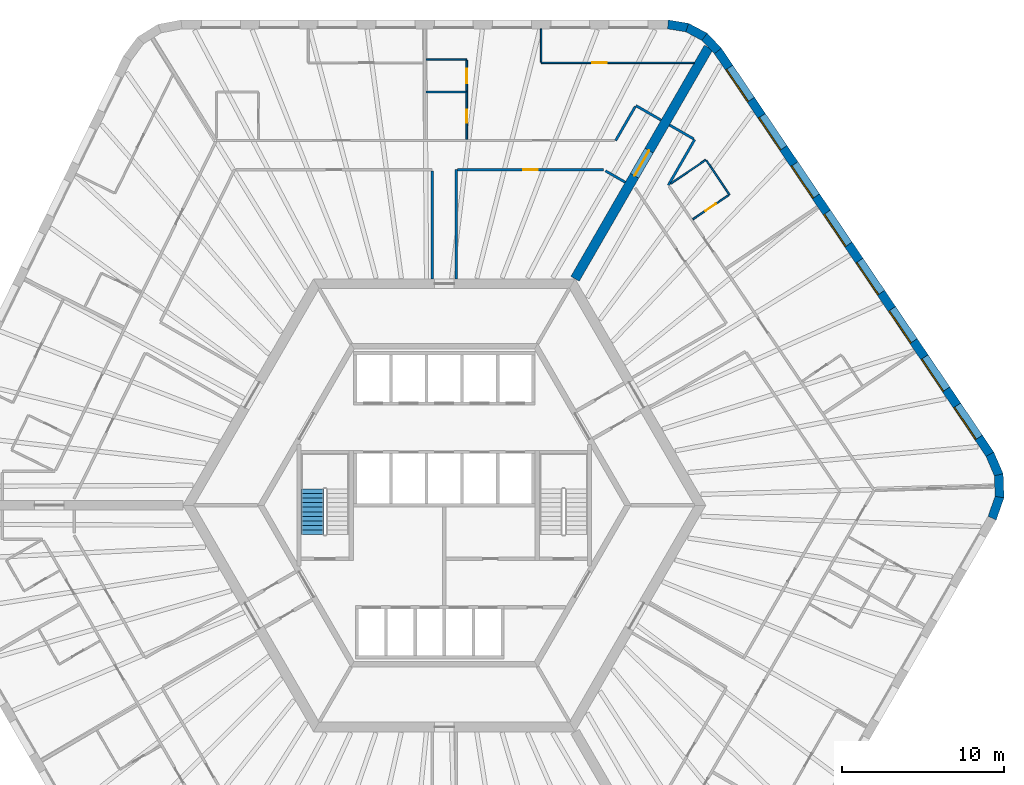
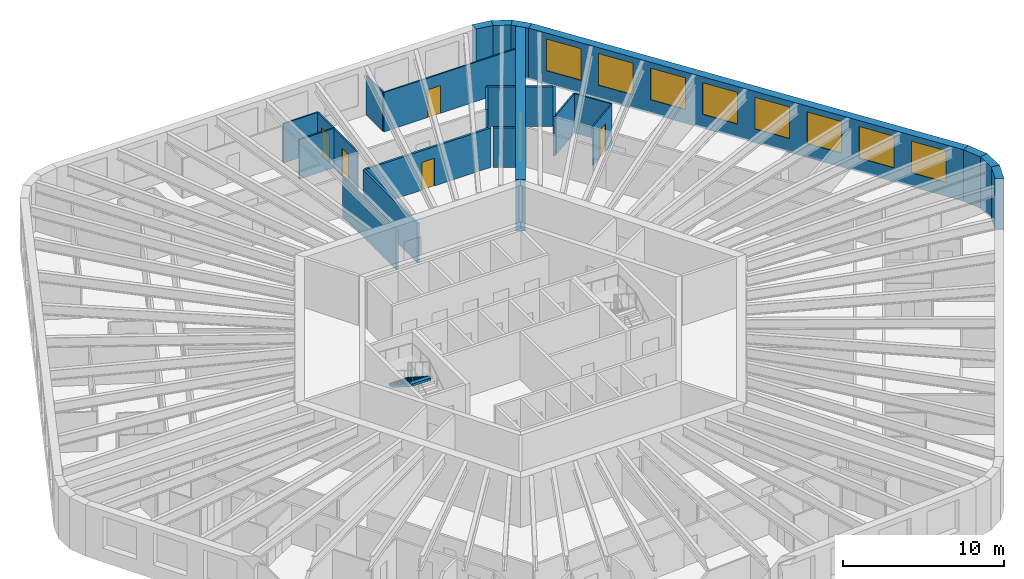
# One storey, part 10 of 12: 25 walls, 8 windows, 6 doors, 1 stair flight, 14 openings, 1 element without a shape of its own.
"""IFC4 building model written with IfcOpenShell, lengths in metres."""

from ifc_helpers import new_model, si_unit, direction, frame, frame_2d, origin, place, context, subcontext, project, spatial, polyline, rectangle, outline, extrude, material, layer, layer_set, type_object, element, fill, aggregate, save


model = new_model("IFC4")

# Units and contexts
model_context = context("Model", 3, precision=1e-05, world=origin(), true_north=direction((0.0, 1.0)))
body_context = subcontext(model_context, "Body", "Model", "MODEL_VIEW")
ifc_project = project(units=[si_unit("LENGTHUNIT", "METRE"), si_unit("AREAUNIT", "SQUARE_METRE"), si_unit("VOLUMEUNIT", "CUBIC_METRE"), si_unit("PLANEANGLEUNIT", "RADIAN"), si_unit("MASSUNIT", "GRAM", prefix="KILO")], contexts=[model_context])

# Site, building, storey
site_placement = place(None, origin())
site = spatial("IfcSite", under=ifc_project, at=site_placement, CompositionType="ELEMENT")
building_placement = place(site_placement, origin())
building = spatial("IfcBuilding", under=site, at=building_placement, Name="Tarnside Tower", CompositionType="ELEMENT")
storey_placement = place(building_placement, frame((0.0, 0.0, 57.0)))
storey = spatial("IfcBuildingStorey", under=building, at=storey_placement, Name="L11", CompositionType="ELEMENT", Elevation=57.0)

# Wall, opening, door
ifc_material_1 = material(Name="Gypsum board partition on steel studs", Category="steel")
ifc_layer_1 = layer(ifc_material_1, 0.10009765625)
ifc_layer_set_1 = layer_set([ifc_layer_1], Name="Bathroom wall 100")
wall_type_1 = type_object("IfcWallType", Name="Bathroom wall 100", PredefinedType="PARTITIONING", material=ifc_layer_set_1)
wall_1_placement = place(storey_placement, frame((1.388916015625, 25.550048828125, 0.0), z_axis=(0.0, 0.0, 1.0), x_axis=(0.0, -1.0, 0.0)))
wall_1 = element("IfcWall", 1, at=wall_1_placement, inside=storey, type_object=wall_type_1, Name="Bathroom wall 02072", PredefinedType="PARTITIONING", context=body_context, shape_type="SweptSolid", body=[
    extrude(rectangle(XDim=2.925048828125, YDim=0.10009765625, at=frame_2d((1.46240234375, 0.0))), origin(), (0.0, 0.0, 1.0), 2.98779296875),
])
opening_1_placement = place(wall_1_placement, frame((1.10009765625, 0.0, 0.0)))
opening_1 = element("IfcOpeningElement", 2, at=opening_1_placement, cuts=wall_1, Name="Opening D-B1", PredefinedType="OPENING", context=body_context, shape_type="SweptSolid", body=[
    extrude(rectangle(XDim=0.800048828125, YDim=2.10009765625, at=frame_2d((0.39990234375, 1.050048828125))), frame((0.0, 0.06005859375, 0.0), z_axis=(0.0, -1.0, 0.0), x_axis=(1.0, 0.0, 0.0)), (0.0, 0.0, 1.0), 0.1201171875),
])
ifc_material_2 = material(Name="Timber door leaf", Category="wood")
door_type_1 = type_object("IfcDoorType", Name="Bathroom door 800", OperationType="NOTDEFINED", PredefinedType="DOOR", material=ifc_material_2)
door_1_placement = place(opening_1_placement, origin())
door_1 = element("IfcDoor", 3, at=door_1_placement, inside=storey, type_object=door_type_1, Name="Bathroom door 02002", OperationType="SINGLE_SWING_LEFT", OverallHeight=2.10009765625, OverallWidth=0.800048828125, PredefinedType="DOOR", context=body_context, shape_type="SweptSolid", body=[
    extrude(rectangle(XDim=0.800048828125, YDim=2.10009765625, at=frame_2d((0.39990234375, 1.050048828125))), frame((0.0, 0.02490234375, 0.0), z_axis=(0.0, -1.0, 0.0), x_axis=(1.0, 0.0, 0.0)), (0.0, 0.0, 1.0), 0.050048828125),
])
fill(opening_1, door_1)

# Walls
wall_2_placement = place(storey_placement, frame((1.3388671875, 25.550048828125, 0.0), z_axis=(0.0, 0.0, 1.0), x_axis=(-1.0, 0.0, 0.0)))
element("IfcWall", 4, at=wall_2_placement, inside=storey, type_object=wall_type_1, Name="Bathroom wall 02078", PredefinedType="PARTITIONING", context=body_context, shape_type="SweptSolid", body=[
    extrude(rectangle(XDim=2.4599609375, YDim=0.10009765625, at=frame_2d((1.22998046875, 0.0))), origin(), (0.0, 0.0, 1.0), 2.98779296875),
])
wall_3_placement = place(storey_placement, frame((13.992919921875, 19.886474609375, 0.0), z_axis=(0.0, 0.0, 1.0), x_axis=(0.829009051057, 0.559235186005, 0.0)))
element("IfcWall", 5, at=wall_3_placement, inside=storey, type_object=wall_type_1, Name="Bathroom wall 02151", PredefinedType="PARTITIONING", context=body_context, shape_type="SweptSolid", body=[
    extrude(rectangle(XDim=2.62890625, YDim=0.10009765625, at=frame_2d((1.314453125, 0.0))), origin(), (0.0, 0.0, 1.0), 2.98779296875),
])
wall_4_placement = place(storey_placement, frame((16.200439453125, 21.315185546875, 0.0), z_axis=(0.0, 0.0, 1.0), x_axis=(0.559155442782, -0.829062838878, 0.0)))
element("IfcWall", 6, at=wall_4_placement, inside=storey, type_object=wall_type_1, Name="Bathroom wall 02152", PredefinedType="PARTITIONING", context=body_context, shape_type="SweptSolid", body=[
    extrude(rectangle(XDim=2.5498046875, YDim=0.10009765625, at=frame_2d((1.27490234375, 0.0))), origin(), (0.0, 0.0, 1.0), 2.98779296875),
])

# Wall, opening, door
wall_5_placement = place(storey_placement, frame((17.5849609375, 19.173095703125, 0.0), z_axis=(0.0, 0.0, 1.0), x_axis=(-0.82904753069, -0.559178139645, 0.0)))
wall_5 = element("IfcWall", 7, at=wall_5_placement, inside=storey, type_object=wall_type_1, Name="Bathroom wall 02153", PredefinedType="PARTITIONING", context=body_context, shape_type="SweptSolid", body=[
    extrude(rectangle(XDim=2.675048828125, YDim=0.10009765625, at=frame_2d((1.33740234375, 0.0))), origin(), (0.0, 0.0, 1.0), 2.98779296875),
])
opening_2_placement = place(wall_5_placement, frame((0.949951171875, 0.0, 0.0)))
opening_2 = element("IfcOpeningElement", 8, at=opening_2_placement, cuts=wall_5, Name="Opening D-B1", PredefinedType="OPENING", context=body_context, shape_type="SweptSolid", body=[
    extrude(rectangle(XDim=0.800048828125, YDim=2.10009765625, at=frame_2d((0.39990234375, 1.050048828125))), frame((0.0, 0.06005859375, 0.0), z_axis=(0.0, -1.0, 0.0), x_axis=(1.0, 0.0, 0.0)), (0.0, 0.0, 1.0), 0.1201171875),
])
door_2_placement = place(opening_2_placement, origin())
door_2 = element("IfcDoor", 9, at=door_2_placement, inside=storey, type_object=door_type_1, Name="Bathroom door 02040", OperationType="SINGLE_SWING_RIGHT", OverallHeight=2.10009765625, OverallWidth=0.800048828125, PredefinedType="DOOR", context=body_context, shape_type="SweptSolid", body=[
    extrude(rectangle(XDim=0.800048828125, YDim=2.10009765625, at=frame_2d((0.39990234375, 1.050048828125))), frame((0.0, 0.02490234375, 0.0), z_axis=(0.0, -1.0, 0.0), x_axis=(1.0, 0.0, 0.0)), (0.0, 0.0, 1.0), 0.050048828125),
])
fill(opening_2, door_2)

ifc_material_3 = material(Name="Concrete C80/95", Category="concrete")
ifc_layer_2 = layer(ifc_material_3, 0.60009765625)
ifc_layer_set_2 = layer_set([ifc_layer_2], Name="Core wall Z1 600 C80/95")
wall_type_2 = type_object("IfcWallType", Name="Core wall Z1 600 C80/95", PredefinedType="SHEAR", material=ifc_layer_set_2)
wall_6_placement = place(storey_placement, frame((8.0830078125, 14.0, -0.14990234375), z_axis=(0.0, 0.0, 1.0), x_axis=(0.499997680643, 0.866026742862, 0.0)))
wall_6 = element("IfcWall", 10, at=wall_6_placement, inside=storey, type_object=wall_type_2, Name="L11 spine wall 1", PredefinedType="SHEAR", context=body_context, shape_type="SweptSolid", body=[
    extrude(rectangle(XDim=16.5087890625, YDim=0.60009765625, at=frame_2d((8.25439453125, 0.0))), origin(), (0.0, 0.0, 1.0), 3.89990234375),
])
opening_3_placement = place(wall_6_placement, frame((7.3544921875, 0.0, 0.14990234375)))
opening_3 = element("IfcOpeningElement", 11, at=opening_3_placement, cuts=wall_6, Name="Opening CD-SPN", PredefinedType="OPENING", context=body_context, shape_type="SweptSolid", body=[
    extrude(rectangle(XDim=1.800048828125, YDim=2.39990234375, at=frame_2d((0.89990234375, 1.199951171875))), frame((0.0, 0.31005859375, 0.0), z_axis=(0.0, -1.0, 0.0), x_axis=(1.0, 0.0, 0.0)), (0.0, 0.0, 1.0), 0.6201171875),
])
ifc_material_4 = material(Name="Steel fire door", Category="steel")
door_type_2 = type_object("IfcDoorType", Name="Spine passage double door FD60 1800x2400", OperationType="NOTDEFINED", PredefinedType="DOOR", material=ifc_material_4)
door_3_placement = place(opening_3_placement, origin())
door_3 = element("IfcDoor", 12, at=door_3_placement, inside=storey, type_object=door_type_2, Name="L11 spine passage door 1", OperationType="DOUBLE_DOOR_SINGLE_SWING", OverallHeight=2.39990234375, OverallWidth=1.800048828125, PredefinedType="DOOR", context=body_context, shape_type="SweptSolid", body=[
    extrude(rectangle(XDim=1.800048828125, YDim=2.39990234375, at=frame_2d((0.89990234375, 1.199951171875))), frame((0.0, 0.02490234375, 0.0), z_axis=(0.0, -1.0, 0.0), x_axis=(1.0, 0.0, 0.0)), (0.0, 0.0, 1.0), 0.050048828125),
])
fill(opening_3, door_3)

# Walls
ifc_layer_3 = layer(ifc_material_1, 0.14990234375)
ifc_layer_set_3 = layer_set([ifc_layer_3], Name="Corridor wall 150 EI 60")
wall_type_3 = type_object("IfcWallType", Name="Corridor wall 150 EI 60", PredefinedType="PARTITIONING", material=ifc_layer_set_3)
wall_7_placement = place(storey_placement, frame((13.400390625, 23.81005859375, 0.0), z_axis=(0.0, 0.0, 1.0), x_axis=(-0.865989075817, 0.500062916607, 0.0)))
element("IfcWall", 13, at=wall_7_placement, inside=storey, type_object=wall_type_3, Name="Corridor wall 02001", PredefinedType="PARTITIONING", context=body_context, shape_type="SweptSolid", body=[
    extrude(rectangle(XDim=1.800048828125, YDim=0.14990234375, at=frame_2d((0.89990234375, 0.0))), origin(), (0.0, 0.0, 1.0), 2.98779296875),
])
wall_8_placement = place(storey_placement, frame((11.803955078125, 24.64501953125, 0.0), z_axis=(0.0, 0.0, 1.0), x_axis=(-0.499981632079, -0.866036008249, 0.0)))
element("IfcWall", 14, at=wall_8_placement, inside=storey, type_object=wall_type_3, Name="Corridor wall 02002", PredefinedType="PARTITIONING", context=body_context, shape_type="SweptSolid", body=[
    extrude(rectangle(XDim=2.4189453125, YDim=0.14990234375, at=frame_2d((1.20947265625, 0.0))), origin(), (0.0, 0.0, 1.0), 2.98779296875),
])
wall_9_placement = place(storey_placement, frame((-0.75, 20.675048828125, 0.0), z_axis=(0.0, 0.0, 1.0), x_axis=(0.0, -1.0, 0.0)))
element("IfcWall", 15, at=wall_9_placement, inside=storey, type_object=wall_type_3, Name="Corridor wall 02016", PredefinedType="PARTITIONING", context=body_context, shape_type="SweptSolid", body=[
    extrude(rectangle(XDim=6.675048828125, YDim=0.14990234375, at=frame_2d((3.33740234375, 0.0))), origin(), (0.0, 0.0, 1.0), 2.98779296875),
])
wall_10_placement = place(storey_placement, frame((0.75, 14.0, 0.0), z_axis=(0.0, 0.0, 1.0), x_axis=(0.0, 1.0, 0.0)))
element("IfcWall", 16, at=wall_10_placement, inside=storey, type_object=wall_type_3, Name="Corridor wall 02017", PredefinedType="PARTITIONING", context=body_context, shape_type="SweptSolid", body=[
    extrude(rectangle(XDim=6.75, YDim=0.14990234375, at=frame_2d((3.375, 0.0))), origin(), (0.0, 0.0, 1.0), 2.98779296875),
])

# Wall, opening, door
wall_11_placement = place(storey_placement, frame((0.824951171875, 20.75, 0.0), z_axis=(0.0, 0.0, 1.0), x_axis=(1.0, 0.0, 0.0)))
wall_11 = element("IfcWall", 17, at=wall_11_placement, inside=storey, type_object=wall_type_3, Name="Corridor wall 02018", PredefinedType="PARTITIONING", context=body_context, shape_type="SweptSolid", body=[
    extrude(rectangle(XDim=9.008056640625, YDim=0.14990234375, at=frame_2d((4.50390625, 0.0))), origin(), (0.0, 0.0, 1.0), 2.98779296875),
])
opening_4_placement = place(wall_11_placement, frame((4.053955078125, 0.0, 0.0)))
opening_4 = element("IfcOpeningElement", 18, at=opening_4_placement, cuts=wall_11, Name="Opening D-S1", PredefinedType="OPENING", context=body_context, shape_type="SweptSolid", body=[
    extrude(rectangle(XDim=0.89990234375, YDim=2.10009765625, at=frame_2d((0.449951171875, 1.050048828125))), frame((0.0, 0.0849609375, 0.0), z_axis=(0.0, -1.0, 0.0), x_axis=(1.0, 0.0, 0.0)), (0.0, 0.0, 1.0), 0.169921875),
])
door_type_3 = type_object("IfcDoorType", Name="Service room door 900 FD30S", OperationType="NOTDEFINED", PredefinedType="DOOR", material=ifc_material_2)
door_4_placement = place(opening_4_placement, origin())
door_4 = element("IfcDoor", 19, at=door_4_placement, inside=storey, type_object=door_type_3, Name="Service door 02042", OperationType="SINGLE_SWING_LEFT", OverallHeight=2.10009765625, OverallWidth=0.89990234375, PredefinedType="DOOR", context=body_context, shape_type="SweptSolid", body=[
    extrude(rectangle(XDim=0.89990234375, YDim=2.10009765625, at=frame_2d((0.449951171875, 1.050048828125))), frame((0.0, 0.02490234375, 0.0), z_axis=(0.0, -1.0, 0.0), x_axis=(1.0, 0.0, 0.0)), (0.0, 0.0, 1.0), 0.050048828125),
])
fill(opening_4, door_4)

# Walls
wall_12_placement = place(storey_placement, frame((9.962890625, 20.675048828125, 0.0), z_axis=(0.0, 0.0, 1.0), x_axis=(0.865963438852, -0.500107311056, 0.0)))
element("IfcWall", 20, at=wall_12_placement, inside=storey, type_object=wall_type_3, Name="Corridor wall 02019", PredefinedType="PARTITIONING", context=body_context, shape_type="SweptSolid", body=[
    extrude(rectangle(XDim=1.409423828125, YDim=0.14990234375, at=frame_2d((0.70458984375, 0.0))), origin(), (0.0, 0.0, 1.0), 2.98779296875),
])
wall_13_placement = place(storey_placement, frame((13.85107421875, 19.790771484375, 0.0), z_axis=(0.0, 0.0, 1.0), x_axis=(0.499986449875, 0.866033226812, 0.0)))
element("IfcWall", 21, at=wall_13_placement, inside=storey, type_object=wall_type_3, Name="Corridor wall 02059", PredefinedType="PARTITIONING", context=body_context, shape_type="SweptSolid", body=[
    extrude(rectangle(XDim=3.25537109375, YDim=0.14990234375, at=frame_2d((1.627685546875, 0.0))), origin(), (0.0, 0.0, 1.0), 2.98779296875),
])
wall_14_placement = place(storey_placement, frame((15.413818359375, 22.647705078125, 0.0), z_axis=(0.0, 0.0, 1.0), x_axis=(-0.866074815912, 0.499914405916, 0.0)))
element("IfcWall", 22, at=wall_14_placement, inside=storey, type_object=wall_type_3, Name="Corridor wall 02060", PredefinedType="PARTITIONING", context=body_context, shape_type="SweptSolid", body=[
    extrude(rectangle(XDim=1.724853515625, YDim=0.14990234375, at=frame_2d((0.8623046875, 0.0))), origin(), (0.0, 0.0, 1.0), 2.98779296875),
])
ifc_layer_4 = layer(ifc_material_1, 0.10009765625)
ifc_layer_set_4 = layer_set([ifc_layer_4], Name="Partition 100")
wall_type_4 = type_object("IfcWallType", Name="Partition 100", PredefinedType="PARTITIONING", material=ifc_layer_set_4)
wall_15_placement = place(storey_placement, frame((-1.12109375, 27.550048828125, 0.0), z_axis=(0.0, 0.0, 1.0), x_axis=(1.0, 0.0, 0.0)))
element("IfcWall", 23, at=wall_15_placement, inside=storey, type_object=wall_type_4, Name="Partition wall 02073", PredefinedType="PARTITIONING", context=body_context, shape_type="SweptSolid", body=[
    extrude(rectangle(XDim=2.510009765625, YDim=0.10009765625, at=frame_2d((1.2548828125, 0.0))), origin(), (0.0, 0.0, 1.0), 2.98779296875),
])

# Wall, opening, door
wall_16_placement = place(storey_placement, frame((1.388916015625, 27.5, 0.0), z_axis=(0.0, 0.0, 1.0), x_axis=(0.0, -1.0, 0.0)))
wall_16 = element("IfcWall", 24, at=wall_16_placement, inside=storey, type_object=wall_type_4, Name="Partition wall 02074", PredefinedType="PARTITIONING", context=body_context, shape_type="SweptSolid", body=[
    extrude(rectangle(XDim=1.89990234375, YDim=0.10009765625, at=frame_2d((0.949951171875, 0.0))), origin(), (0.0, 0.0, 1.0), 2.98779296875),
])
opening_5_placement = place(wall_16_placement, frame((0.5, 0.0, 0.0)))
opening_5 = element("IfcOpeningElement", 25, at=opening_5_placement, cuts=wall_16, Name="Opening D-I1", PredefinedType="OPENING", context=body_context, shape_type="SweptSolid", body=[
    extrude(rectangle(XDim=0.89990234375, YDim=2.10009765625, at=frame_2d((0.449951171875, 1.050048828125))), frame((0.0, 0.06005859375, 0.0), z_axis=(0.0, -1.0, 0.0), x_axis=(1.0, 0.0, 0.0)), (0.0, 0.0, 1.0), 0.1201171875),
])
door_type_4 = type_object("IfcDoorType", Name="Internal door 900", OperationType="NOTDEFINED", PredefinedType="DOOR", material=ifc_material_2)
door_5_placement = place(opening_5_placement, origin())
door_5 = element("IfcDoor", 26, at=door_5_placement, inside=storey, type_object=door_type_4, Name="Internal door 02003", OperationType="SINGLE_SWING_RIGHT", OverallHeight=2.10009765625, OverallWidth=0.89990234375, PredefinedType="DOOR", context=body_context, shape_type="SweptSolid", body=[
    extrude(rectangle(XDim=0.89990234375, YDim=2.10009765625, at=frame_2d((0.449951171875, 1.050048828125))), frame((0.0, 0.02490234375, 0.0), z_axis=(0.0, -1.0, 0.0), x_axis=(1.0, 0.0, 0.0)), (0.0, 0.0, 1.0), 0.050048828125),
])
fill(opening_5, door_5)

wall_17_placement = place(storey_placement, frame((15.444091796875, 27.35009765625, 0.0), z_axis=(0.0, 0.0, 1.0), x_axis=(-1.0, 0.0, 0.0)))
wall_17 = element("IfcWall", 27, at=wall_17_placement, inside=storey, type_object=wall_type_4, Name="Partition wall 02075", PredefinedType="PARTITIONING", context=body_context, shape_type="SweptSolid", body=[
    extrude(rectangle(XDim=9.455078125, YDim=0.10009765625, at=frame_2d((4.7275390625, 0.0))), origin(), (0.0, 0.0, 1.0), 2.98779296875),
])
opening_6_placement = place(wall_17_placement, frame((5.4052734375, 0.0, 0.0)))
opening_6 = element("IfcOpeningElement", 28, at=opening_6_placement, cuts=wall_17, Name="Opening D-I1", PredefinedType="OPENING", context=body_context, shape_type="SweptSolid", body=[
    extrude(rectangle(XDim=0.89990234375, YDim=2.10009765625, at=frame_2d((0.449951171875, 1.050048828125))), frame((0.0, 0.06005859375, 0.0), z_axis=(0.0, -1.0, 0.0), x_axis=(1.0, 0.0, 0.0)), (0.0, 0.0, 1.0), 0.1201171875),
])
door_6_placement = place(opening_6_placement, origin())
door_6 = element("IfcDoor", 29, at=door_6_placement, inside=storey, type_object=door_type_4, Name="Internal door 02004", OperationType="SINGLE_SWING_LEFT", OverallHeight=2.10009765625, OverallWidth=0.89990234375, PredefinedType="DOOR", context=body_context, shape_type="SweptSolid", body=[
    extrude(rectangle(XDim=0.89990234375, YDim=2.10009765625, at=frame_2d((0.449951171875, 1.050048828125))), frame((0.0, 0.02490234375, 0.0), z_axis=(0.0, -1.0, 0.0), x_axis=(1.0, 0.0, 0.0)), (0.0, 0.0, 1.0), 0.050048828125),
])
fill(opening_6, door_6)

# Walls
wall_18_placement = place(storey_placement, frame((5.989013671875, 27.39990234375, 0.0), z_axis=(0.0, 0.0, 1.0), x_axis=(0.0, 1.0, 0.0)))
element("IfcWall", 30, at=wall_18_placement, inside=storey, type_object=wall_type_4, Name="Partition wall 02076", PredefinedType="PARTITIONING", context=body_context, shape_type="SweptSolid", body=[
    extrude(rectangle(XDim=2.050048828125, YDim=0.10009765625, at=frame_2d((1.02490234375, 0.0))), origin(), (0.0, 0.0, 1.0), 2.98779296875),
])
ifc_material_5 = material(Name="Facing brick", Category="masonry")
ifc_layer_5 = layer(ifc_material_5, 0.10205078125)
ifc_material_6 = material(Name="Concrete C60/75 precast", Category="concrete")
ifc_layer_6 = layer(ifc_material_6, 0.347900390625)
ifc_material_7 = material(Name="Mineral wool insulation")
ifc_layer_7 = layer(ifc_material_7, 0.10009765625)
ifc_layer_set_5 = layer_set([ifc_layer_5, ifc_layer_6, ifc_layer_7], Name="Tube wall 550 brick faced")
wall_type_5 = type_object("IfcWallType", Name="Tube wall 550 brick faced", PredefinedType="SOLIDWALL", material=ifc_layer_set_5)
wall_19_placement = place(storey_placement, frame((33.865966796875, -0.79248046875, -0.14990234375), z_axis=(0.0, 0.0, 1.0), x_axis=(0.33111537203, 0.943590276765, 0.0)))
element("IfcWall", 31, at=wall_19_placement, inside=storey, type_object=wall_type_5, Name="Tube wall L11 F5 chord 17", PredefinedType="SOLIDWALL", context=body_context, shape_type="SweptSolid", body=[
    extrude(outline(polyline([(-0.025634765625, -0.27490234375), (1.4306640625, -0.27490234375), (1.3271484375, 0.27490234375), (0.025634765625, 0.27490234375), (-0.025634765625, -0.27490234375)])), origin(), (0.0, 0.0, 1.0), 3.89990234375),
])
wall_20_placement = place(storey_placement, frame((34.322509765625, 0.508544921875, -0.14990234375), z_axis=(0.0, 0.0, 1.0), x_axis=(-0.034876908462, 0.999391615562, 0.0)))
element("IfcWall", 32, at=wall_20_placement, inside=storey, type_object=wall_type_5, Name="Tube wall L11 F5 chord 18", PredefinedType="SOLIDWALL", context=body_context, shape_type="SweptSolid", body=[
    extrude(outline(polyline([(-0.0517578125, -0.27490234375), (1.4306640625, -0.27490234375), (1.3271484375, 0.27490234375), (0.0517578125, 0.27490234375), (-0.0517578125, -0.27490234375)])), origin(), (0.0, 0.0, 1.0), 3.89990234375),
])
wall_21_placement = place(storey_placement, frame((34.2744140625, 1.88671875, -0.14990234375), z_axis=(0.0, 0.0, 1.0), x_axis=(-0.396161342798, 0.918180913803, 0.0)))
element("IfcWall", 33, at=wall_21_placement, inside=storey, type_object=wall_type_5, Name="Tube wall L11 F5 chord 19", PredefinedType="SOLIDWALL", context=body_context, shape_type="SweptSolid", body=[
    extrude(outline(polyline([(-0.0517578125, -0.27490234375), (1.40478515625, -0.27490234375), (1.353515625, 0.27490234375), (0.0517578125, 0.27490234375), (-0.0517578125, -0.27490234375)])), origin(), (0.0, 0.0, 1.0), 3.89990234375),
])

# Wall, openings, windows
wall_22_placement = place(storey_placement, frame((33.72802734375, 3.153076171875, -0.14990234375), z_axis=(0.0, 0.0, 1.0), x_axis=(-0.559192411416, 0.82903790445, 0.0)))
wall_22 = element("IfcWall", 34, at=wall_22_placement, inside=storey, type_object=wall_type_5, Name="Tube wall L11 F6 flush 20", PredefinedType="SOLIDWALL", context=body_context, shape_type="SweptSolid", body=[
    extrude(outline(polyline([(-0.025634765625, -0.27490234375), (30.09326171875, -0.27490234375), (30.04833984375, 0.27490234375), (0.025634765625, 0.27490234375), (-0.025634765625, -0.27490234375)])), origin(), (0.0, 0.0, 1.0), 3.89990234375),
])
opening_7_placement = place(wall_22_placement, frame((1.235595703125, 0.0, 1.050048828125)))
opening_7 = element("IfcOpeningElement", 35, at=opening_7_placement, cuts=wall_22, Name="Opening WH", PredefinedType="OPENING", context=body_context, shape_type="SweptSolid", body=[
    extrude(rectangle(XDim=2.39990234375, YDim=2.39990234375, at=frame_2d((1.199951171875, 1.199951171875))), frame((0.0, 0.28515625, 0.0), z_axis=(0.0, -1.0, 0.0), x_axis=(1.0, 0.0, 0.0)), (0.0, 0.0, 1.0), 0.570068359375),
])
opening_8_placement = place(wall_22_placement, frame((4.83544921875, 0.0, 1.050048828125)))
opening_8 = element("IfcOpeningElement", 36, at=opening_8_placement, cuts=wall_22, Name="Opening WH", PredefinedType="OPENING", context=body_context, shape_type="SweptSolid", body=[
    extrude(rectangle(XDim=2.39990234375, YDim=2.39990234375, at=frame_2d((1.199951171875, 1.199951171875))), frame((0.0, 0.28515625, 0.0), z_axis=(0.0, -1.0, 0.0), x_axis=(1.0, 0.0, 0.0)), (0.0, 0.0, 1.0), 0.570068359375),
])
opening_9_placement = place(wall_22_placement, frame((8.435546875, 0.0, 1.050048828125)))
opening_9 = element("IfcOpeningElement", 37, at=opening_9_placement, cuts=wall_22, Name="Opening WH", PredefinedType="OPENING", context=body_context, shape_type="SweptSolid", body=[
    extrude(rectangle(XDim=2.39990234375, YDim=2.39990234375, at=frame_2d((1.199951171875, 1.199951171875))), frame((0.0, 0.28515625, 0.0), z_axis=(0.0, -1.0, 0.0), x_axis=(1.0, 0.0, 0.0)), (0.0, 0.0, 1.0), 0.570068359375),
])
opening_10_placement = place(wall_22_placement, frame((12.035400390625, 0.0, 1.050048828125)))
opening_10 = element("IfcOpeningElement", 38, at=opening_10_placement, cuts=wall_22, Name="Opening WH", PredefinedType="OPENING", context=body_context, shape_type="SweptSolid", body=[
    extrude(rectangle(XDim=2.39990234375, YDim=2.39990234375, at=frame_2d((1.199951171875, 1.199951171875))), frame((0.0, 0.28515625, 0.0), z_axis=(0.0, -1.0, 0.0), x_axis=(1.0, 0.0, 0.0)), (0.0, 0.0, 1.0), 0.570068359375),
])
opening_11_placement = place(wall_22_placement, frame((15.635498046875, 0.0, 1.050048828125)))
opening_11 = element("IfcOpeningElement", 39, at=opening_11_placement, cuts=wall_22, Name="Opening WH", PredefinedType="OPENING", context=body_context, shape_type="SweptSolid", body=[
    extrude(rectangle(XDim=2.39990234375, YDim=2.39990234375, at=frame_2d((1.199951171875, 1.199951171875))), frame((0.0, 0.28515625, 0.0), z_axis=(0.0, -1.0, 0.0), x_axis=(1.0, 0.0, 0.0)), (0.0, 0.0, 1.0), 0.570068359375),
])
opening_12_placement = place(wall_22_placement, frame((19.235595703125, 0.0, 1.050048828125)))
opening_12 = element("IfcOpeningElement", 40, at=opening_12_placement, cuts=wall_22, Name="Opening WH", PredefinedType="OPENING", context=body_context, shape_type="SweptSolid", body=[
    extrude(rectangle(XDim=2.39990234375, YDim=2.39990234375, at=frame_2d((1.199951171875, 1.199951171875))), frame((0.0, 0.28515625, 0.0), z_axis=(0.0, -1.0, 0.0), x_axis=(1.0, 0.0, 0.0)), (0.0, 0.0, 1.0), 0.570068359375),
])
opening_13_placement = place(wall_22_placement, frame((22.83544921875, 0.0, 1.050048828125)))
opening_13 = element("IfcOpeningElement", 41, at=opening_13_placement, cuts=wall_22, Name="Opening WH", PredefinedType="OPENING", context=body_context, shape_type="SweptSolid", body=[
    extrude(rectangle(XDim=2.39990234375, YDim=2.39990234375, at=frame_2d((1.199951171875, 1.199951171875))), frame((0.0, 0.28515625, 0.0), z_axis=(0.0, -1.0, 0.0), x_axis=(1.0, 0.0, 0.0)), (0.0, 0.0, 1.0), 0.570068359375),
])
opening_14_placement = place(wall_22_placement, frame((26.435546875, 0.0, 1.050048828125)))
opening_14 = element("IfcOpeningElement", 42, at=opening_14_placement, cuts=wall_22, Name="Opening WH", PredefinedType="OPENING", context=body_context, shape_type="SweptSolid", body=[
    extrude(rectangle(XDim=2.39990234375, YDim=2.39990234375, at=frame_2d((1.199951171875, 1.199951171875))), frame((0.0, 0.28515625, 0.0), z_axis=(0.0, -1.0, 0.0), x_axis=(1.0, 0.0, 0.0)), (0.0, 0.0, 1.0), 0.570068359375),
])
ifc_material_8 = material(Name="Aluminium-framed double glazing", Category="aluminium")
window_type = type_object("IfcWindowType", Name="Hotel window 2400 x 2400", PartitioningType="DOUBLE_PANEL_VERTICAL", PredefinedType="WINDOW", material=ifc_material_8)
window_1_placement = place(opening_7_placement, frame((0.0, 0.205078125, 0.0)))
window_1 = element("IfcWindow", 43, at=window_1_placement, inside=storey, type_object=window_type, Name="E.WN.L11.F6.00", OverallHeight=2.39990234375, OverallWidth=2.39990234375, PartitioningType="DOUBLE_PANEL_VERTICAL", PredefinedType="WINDOW", context=body_context, shape_type="SweptSolid", body=[
    extrude(rectangle(XDim=2.39990234375, YDim=2.39990234375, at=frame_2d((1.199951171875, 1.199951171875))), frame((0.0, 0.030029296875, 0.0), z_axis=(0.0, -1.0, 0.0), x_axis=(1.0, 0.0, 0.0)), (0.0, 0.0, 1.0), 0.06005859375),
])
fill(opening_7, window_1)
window_2_placement = place(opening_8_placement, frame((0.0, 0.205078125, 0.0)))
window_2 = element("IfcWindow", 44, at=window_2_placement, inside=storey, type_object=window_type, Name="E.WN.L11.F6.01", OverallHeight=2.39990234375, OverallWidth=2.39990234375, PartitioningType="DOUBLE_PANEL_VERTICAL", PredefinedType="WINDOW", context=body_context, shape_type="SweptSolid", body=[
    extrude(rectangle(XDim=2.39990234375, YDim=2.39990234375, at=frame_2d((1.199951171875, 1.199951171875))), frame((0.0, 0.030029296875, 0.0), z_axis=(0.0, -1.0, 0.0), x_axis=(1.0, 0.0, 0.0)), (0.0, 0.0, 1.0), 0.06005859375),
])
fill(opening_8, window_2)
window_3_placement = place(opening_9_placement, frame((0.0, 0.205078125, 0.0)))
window_3 = element("IfcWindow", 45, at=window_3_placement, inside=storey, type_object=window_type, Name="E.WN.L11.F6.02", OverallHeight=2.39990234375, OverallWidth=2.39990234375, PartitioningType="DOUBLE_PANEL_VERTICAL", PredefinedType="WINDOW", context=body_context, shape_type="SweptSolid", body=[
    extrude(rectangle(XDim=2.39990234375, YDim=2.39990234375, at=frame_2d((1.199951171875, 1.199951171875))), frame((0.0, 0.030029296875, 0.0), z_axis=(0.0, -1.0, 0.0), x_axis=(1.0, 0.0, 0.0)), (0.0, 0.0, 1.0), 0.06005859375),
])
fill(opening_9, window_3)
window_4_placement = place(opening_10_placement, frame((0.0, 0.205078125, 0.0)))
window_4 = element("IfcWindow", 46, at=window_4_placement, inside=storey, type_object=window_type, Name="E.WN.L11.F6.03", OverallHeight=2.39990234375, OverallWidth=2.39990234375, PartitioningType="DOUBLE_PANEL_VERTICAL", PredefinedType="WINDOW", context=body_context, shape_type="SweptSolid", body=[
    extrude(rectangle(XDim=2.39990234375, YDim=2.39990234375, at=frame_2d((1.199951171875, 1.199951171875))), frame((0.0, 0.030029296875, 0.0), z_axis=(0.0, -1.0, 0.0), x_axis=(1.0, 0.0, 0.0)), (0.0, 0.0, 1.0), 0.06005859375),
])
fill(opening_10, window_4)
window_5_placement = place(opening_11_placement, frame((0.0, 0.205078125, 0.0)))
window_5 = element("IfcWindow", 47, at=window_5_placement, inside=storey, type_object=window_type, Name="E.WN.L11.F6.04", OverallHeight=2.39990234375, OverallWidth=2.39990234375, PartitioningType="DOUBLE_PANEL_VERTICAL", PredefinedType="WINDOW", context=body_context, shape_type="SweptSolid", body=[
    extrude(rectangle(XDim=2.39990234375, YDim=2.39990234375, at=frame_2d((1.199951171875, 1.199951171875))), frame((0.0, 0.030029296875, 0.0), z_axis=(0.0, -1.0, 0.0), x_axis=(1.0, 0.0, 0.0)), (0.0, 0.0, 1.0), 0.06005859375),
])
fill(opening_11, window_5)
window_6_placement = place(opening_12_placement, frame((0.0, 0.205078125, 0.0)))
window_6 = element("IfcWindow", 48, at=window_6_placement, inside=storey, type_object=window_type, Name="E.WN.L11.F6.05", OverallHeight=2.39990234375, OverallWidth=2.39990234375, PartitioningType="DOUBLE_PANEL_VERTICAL", PredefinedType="WINDOW", context=body_context, shape_type="SweptSolid", body=[
    extrude(rectangle(XDim=2.39990234375, YDim=2.39990234375, at=frame_2d((1.199951171875, 1.199951171875))), frame((0.0, 0.030029296875, 0.0), z_axis=(0.0, -1.0, 0.0), x_axis=(1.0, 0.0, 0.0)), (0.0, 0.0, 1.0), 0.06005859375),
])
fill(opening_12, window_6)
window_7_placement = place(opening_13_placement, frame((0.0, 0.205078125, 0.0)))
window_7 = element("IfcWindow", 49, at=window_7_placement, inside=storey, type_object=window_type, Name="E.WN.L11.F6.06", OverallHeight=2.39990234375, OverallWidth=2.39990234375, PartitioningType="DOUBLE_PANEL_VERTICAL", PredefinedType="WINDOW", context=body_context, shape_type="SweptSolid", body=[
    extrude(rectangle(XDim=2.39990234375, YDim=2.39990234375, at=frame_2d((1.199951171875, 1.199951171875))), frame((0.0, 0.030029296875, 0.0), z_axis=(0.0, -1.0, 0.0), x_axis=(1.0, 0.0, 0.0)), (0.0, 0.0, 1.0), 0.06005859375),
])
fill(opening_13, window_7)
window_8_placement = place(opening_14_placement, frame((0.0, 0.205078125, 0.0)))
window_8 = element("IfcWindow", 50, at=window_8_placement, inside=storey, type_object=window_type, Name="E.WN.L11.F6.07", OverallHeight=2.39990234375, OverallWidth=2.39990234375, PartitioningType="DOUBLE_PANEL_VERTICAL", PredefinedType="WINDOW", context=body_context, shape_type="SweptSolid", body=[
    extrude(rectangle(XDim=2.39990234375, YDim=2.39990234375, at=frame_2d((1.199951171875, 1.199951171875))), frame((0.0, 0.030029296875, 0.0), z_axis=(0.0, -1.0, 0.0), x_axis=(1.0, 0.0, 0.0)), (0.0, 0.0, 1.0), 0.06005859375),
])
fill(opening_14, window_8)

# Walls
wall_23_placement = place(storey_placement, frame((16.91259765625, 28.0830078125, -0.14990234375), z_axis=(0.0, 0.0, 1.0), x_axis=(-0.686196220404, 0.727416488061, 0.0)))
element("IfcWall", 51, at=wall_23_placement, inside=storey, type_object=wall_type_5, Name="Tube wall L11 F6 chord 21", PredefinedType="SOLIDWALL", context=body_context, shape_type="SweptSolid", body=[
    extrude(outline(polyline([(-0.0224609375, -0.27490234375), (1.25341796875, -0.27490234375), (1.1630859375, 0.27490234375), (0.0224609375, 0.27490234375), (-0.0224609375, -0.27490234375)])), origin(), (0.0, 0.0, 1.0), 3.89990234375),
])
wall_24_placement = place(storey_placement, frame((16.08349609375, 28.9619140625, -0.14990234375), z_axis=(0.0, 0.0, 1.0), x_axis=(-0.882995347911, 0.469381737574, 0.0)))
element("IfcWall", 52, at=wall_24_placement, inside=storey, type_object=wall_type_5, Name="Tube wall L11 F6 chord 22", PredefinedType="SOLIDWALL", context=body_context, shape_type="SweptSolid", body=[
    extrude(outline(polyline([(-0.045166015625, -0.27490234375), (1.25341796875, -0.27490234375), (1.1630859375, 0.27490234375), (0.045166015625, 0.27490234375), (-0.045166015625, -0.27490234375)])), origin(), (0.0, 0.0, 1.0), 3.89990234375),
])
wall_25_placement = place(storey_placement, frame((15.0166015625, 29.529052734375, -0.14990234375), z_axis=(0.0, 0.0, 1.0), x_axis=(-0.986746625868, 0.162268593195, 0.0)))
element("IfcWall", 53, at=wall_25_placement, inside=storey, type_object=wall_type_5, Name="Tube wall L11 F6 chord 23", PredefinedType="SOLIDWALL", context=body_context, shape_type="SweptSolid", body=[
    extrude(outline(polyline([(-0.045166015625, -0.27490234375), (1.230712890625, -0.27490234375), (1.185791015625, 0.27490234375), (0.045166015625, 0.27490234375), (-0.045166015625, -0.27490234375)])), origin(), (0.0, 0.0, 1.0), 3.89990234375),
])

# Stair, stair flight
ifc_material_9 = material(Name="Concrete C40/50", Category="concrete")
stair_type = type_object("IfcStairType", Name="Exit stair 1400 clear", PredefinedType="HALF_TURN_STAIR", material=ifc_material_9)
stair_placement = place(storey_placement, origin())
stair = element("IfcStair", 54, at=stair_placement, inside=storey, type_object=stair_type, Name="L11 Exit stair 2", PredefinedType="HALF_TURN_STAIR")
stair_flight_type = type_object("IfcStairFlightType", Name="Exit stair flight 1400", PredefinedType="STRAIGHT", material=ifc_material_9)
stair_flight_placement = place(storey_placement, frame((-8.14990234375, 1.0, 1.949951171875), z_axis=(0.0, 0.0, 1.0), x_axis=(0.0, -1.0, 0.0)))
stair_flight = element("IfcStairFlight", 55, at=stair_flight_placement, type_object=stair_flight_type, Name="ST2 flight 2", NumberOfRisers=11, NumberOfTreads=10, PredefinedType="STRAIGHT", RiserHeight=0.177272727, TreadLength=0.28, context=body_context, shape_type="SweptSolid", body=[
    extrude(outline(polyline([(0.0, 0.0), (0.0, 0.17724609375), (0.280029296875, 0.17724609375), (0.280029296875, 0.3544921875), (0.56005859375, 0.3544921875), (0.56005859375, 0.53173828125), (0.840087890625, 0.53173828125), (0.840087890625, 0.708984375), (1.1201171875, 0.708984375), (1.1201171875, 0.886474609375), (1.39990234375, 0.886474609375), (1.39990234375, 1.063720703125), (1.679931640625, 1.063720703125), (1.679931640625, 1.240966796875), (1.9599609375, 1.240966796875), (1.9599609375, 1.418212890625), (2.239990234375, 1.418212890625), (2.239990234375, 1.595458984375), (2.52001953125, 1.595458984375), (2.52001953125, 1.772705078125), (2.800048828125, 1.772705078125), (2.800048828125, 1.949951171875), (2.800048828125, 1.59521484375), (0.2802734375, 0.0), (0.0, 0.0)])), frame((0.0, 0.699951171875, 0.0), z_axis=(0.0, -1.0, 0.0), x_axis=(1.0, 0.0, 0.0)), (0.0, 0.0, 1.0), 1.39990234375),
])
aggregate(stair, [stair_flight])

save(model, "model.ifc")
